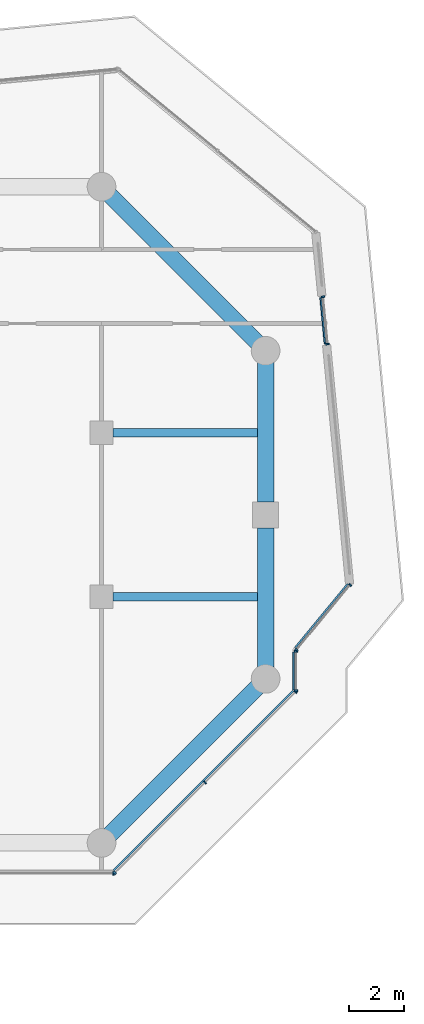
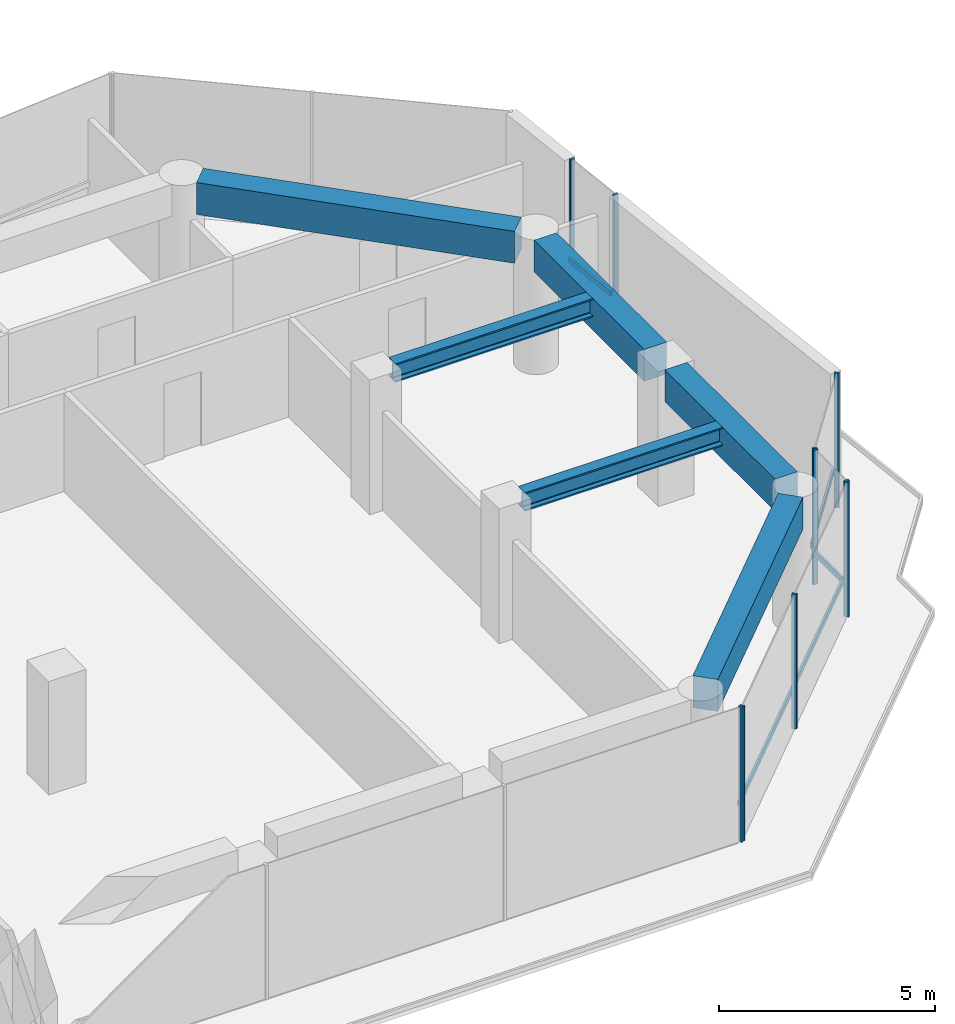
# One storey, part 19 of 30: 14 members, 6 beams, 5 elements without a shape of their own.
"""IFC4 building model written with IfcOpenShell, lengths in metres."""

from ifc_helpers import new_model, si_unit, direction, frame, origin, origin_2d, place, context, subcontext, project, spatial, rectangle, i_section, extrude, material, layer, layer_set, material_profile, profile_set, type_object, element, aggregate, save


model = new_model("IFC4")

# Units and contexts
model_context = context("Model", 3, precision=1e-05, world=origin(), true_north=direction((0.0, 1.0)))
body_context = subcontext(model_context, "Body", "Model", "MODEL_VIEW")
ifc_project = project(units=[si_unit("LENGTHUNIT", "METRE"), si_unit("AREAUNIT", "SQUARE_METRE"), si_unit("VOLUMEUNIT", "CUBIC_METRE"), si_unit("PLANEANGLEUNIT", "RADIAN"), si_unit("MASSUNIT", "GRAM", prefix="KILO")], contexts=[model_context])

# Site, building, storey
site_placement = place(None, origin())
site = spatial("IfcSite", under=ifc_project, at=site_placement, CompositionType="ELEMENT")
building_placement = place(site_placement, origin())
building = spatial("IfcBuilding", under=site, at=building_placement, Name="Welwitschia Terrace Campus", CompositionType="ELEMENT")
storey_placement = place(building_placement, frame((0.0, 0.0, 75.199951171875)))
storey = spatial("IfcBuildingStorey", under=building, at=storey_placement, Name="L17", CompositionType="ELEMENT", Elevation=75.199951171875)

# Beams
ifc_material_1 = material(Name="Steel S355", Category="steel")
ifc_material_profile_1 = material_profile(ifc_material_1, i_section(OverallWidth=0.305908203125, OverallDepth=0.52392578125, WebThickness=0.02099609375, FlangeThickness=0.0400390625, FilletRadius=0.027099609375, at=origin_2d()))
ifc_profile_set_1 = profile_set([ifc_material_profile_1], Name="Steel S355")
beam_type_1 = type_object("IfcBeamType", Name="Interior girder HE 500 M", PredefinedType="BEAM", material=ifc_profile_set_1)
for number, where, z_axis, x_axis, name in (
    (1, (60.425537109375, 5.0, 3.5380859375), (1.0, 0.0, 0.0), (0.0, 1.0, 0.0), "Girder GB2"),
    (2, (60.425537109375, 11.0, 3.5380859375), (1.0, 0.0, 0.0), (0.0, 1.0, 0.0), "Girder GB2"),
):
    element("IfcBeam", number, at=place(storey_placement, frame(where, z_axis=z_axis, x_axis=x_axis)), inside=storey, type_object=beam_type_1, Name=name, PredefinedType="BEAM", context=body_context, shape_type="SweptSolid", body=[
        extrude(i_section(OverallWidth=0.305908203125, OverallDepth=0.52392578125, WebThickness=0.02099609375, FlangeThickness=0.0400390625, FilletRadius=0.027099609375, at=origin_2d()), origin(), (0.0, 0.0, 1.0), 5.58447265625),
    ])

# Curtain wall, member
ifc_material_2 = material(Name="Bronze anodised aluminium", Category="aluminium")
ifc_layer = layer(ifc_material_2, 0.1201171875)
ifc_layer_set = layer_set([ifc_layer], Name="Bronze anodised aluminium")
curtain_wall_type = type_object("IfcCurtainWallType", Name="Curtain wall CW2 tower 6000", PredefinedType="NOTDEFINED", material=ifc_layer_set)
curtain_wall_1_placement = place(storey_placement, origin())
curtain_wall_1 = element("IfcCurtainWall", 3, at=curtain_wall_1_placement, inside=storey, type_object=curtain_wall_type, Name="CW L17.3.0", PredefinedType="NOTDEFINED")
ifc_material_3 = material(Name="Bronze anodised aluminium", Category="aluminium")
ifc_material_profile_2 = material_profile(ifc_material_3, rectangle(XDim=0.1201171875, YDim=0.06005859375, at=origin_2d()))
ifc_profile_set_2 = profile_set([ifc_material_profile_2], Name="Bronze anodised aluminium")
member_type_1 = type_object("IfcMemberType", Name="Mullion 60x120", PredefinedType="MULLION", material=ifc_profile_set_2)
member_1_placement = place(storey_placement, frame((60.431396484375, -5.114013671875, 0.0), z_axis=(0.0, 0.0, 1.0), x_axis=(0.0, 1.0, 0.0)))
member_1 = element("IfcMember", 4, at=member_1_placement, type_object=member_type_1, Name="Mullion L17.3.0.5", PredefinedType="MULLION", context=body_context, shape_type="SweptSolid", body=[
    extrude(rectangle(XDim=0.1201171875, YDim=0.06005859375, at=origin_2d()), origin(), (0.0, 0.0, 1.0), 3.800048828125),
])
aggregate(curtain_wall_1, [member_1])

# Curtain wall, members
curtain_wall_2_placement = place(storey_placement, origin())
curtain_wall_2 = element("IfcCurtainWall", 5, at=curtain_wall_2_placement, inside=storey, type_object=curtain_wall_type, Name="CW L17.4.0", PredefinedType="NOTDEFINED")
member_2_placement = place(storey_placement, frame((60.482666015625, -5.0927734375, 0.0), z_axis=(0.0, 0.0, 1.0), x_axis=(-0.707106781187, 0.707106781187, 0.0)))
member_2 = element("IfcMember", 6, at=member_2_placement, type_object=member_type_1, Name="Mullion L17.4.0.0", PredefinedType="MULLION", context=body_context, shape_type="SweptSolid", body=[
    extrude(rectangle(XDim=0.1201171875, YDim=0.06005859375, at=origin_2d()), origin(), (0.0, 0.0, 1.0), 3.800048828125),
])
member_3_placement = place(storey_placement, frame((63.78759765625, -1.78759765625, 0.0), z_axis=(0.0, 0.0, 1.0), x_axis=(-0.707106781187, 0.707106781187, 0.0)))
member_3 = element("IfcMember", 7, at=member_3_placement, type_object=member_type_1, Name="Mullion L17.4.0.1", PredefinedType="MULLION", context=body_context, shape_type="SweptSolid", body=[
    extrude(rectangle(XDim=0.1201171875, YDim=0.06005859375, at=origin_2d()), origin(), (0.0, 0.0, 1.0), 3.800048828125),
])
member_4_placement = place(storey_placement, frame((67.0927734375, 1.517333984375, 0.0), z_axis=(0.0, 0.0, 1.0), x_axis=(-0.707106781187, 0.707106781187, 0.0)))
member_4 = element("IfcMember", 8, at=member_4_placement, type_object=member_type_1, Name="Mullion L17.4.0.2", PredefinedType="MULLION", context=body_context, shape_type="SweptSolid", body=[
    extrude(rectangle(XDim=0.1201171875, YDim=0.06005859375, at=origin_2d()), origin(), (0.0, 0.0, 1.0), 3.800048828125),
])

curtain_wall_3_placement = place(storey_placement, origin())
curtain_wall_3 = element("IfcCurtainWall", 9, at=curtain_wall_3_placement, inside=storey, type_object=curtain_wall_type, Name="CW L17.5.0", PredefinedType="NOTDEFINED")
member_5_placement = place(storey_placement, frame((67.114013671875, 1.568603515625, 0.0), z_axis=(0.0, 0.0, 1.0), x_axis=(-1.0, 0.0, 0.0)))
member_5 = element("IfcMember", 10, at=member_5_placement, type_object=member_type_1, Name="Mullion L17.5.0.0", PredefinedType="MULLION", context=body_context, shape_type="SweptSolid", body=[
    extrude(rectangle(XDim=0.1201171875, YDim=0.06005859375, at=origin_2d()), origin(), (0.0, 0.0, 1.0), 3.800048828125),
])
member_6_placement = place(storey_placement, frame((67.114013671875, 3.010009765625, 0.0), z_axis=(0.0, 0.0, 1.0), x_axis=(-1.0, 0.0, 0.0)))
member_6 = element("IfcMember", 11, at=member_6_placement, type_object=member_type_1, Name="Mullion L17.5.0.1", PredefinedType="MULLION", context=body_context, shape_type="SweptSolid", body=[
    extrude(rectangle(XDim=0.1201171875, YDim=0.06005859375, at=origin_2d()), origin(), (0.0, 0.0, 1.0), 3.800048828125),
])

curtain_wall_4_placement = place(storey_placement, origin())
curtain_wall_4 = element("IfcCurtainWall", 12, at=curtain_wall_4_placement, inside=storey, type_object=curtain_wall_type, Name="CW L17.6.0", PredefinedType="NOTDEFINED")
member_7_placement = place(storey_placement, frame((67.133056640625, 3.063232421875, 0.0), z_axis=(0.0, 0.0, 1.0), x_axis=(-0.771624583388, 0.636078220278, 0.0)))
member_7 = element("IfcMember", 13, at=member_7_placement, type_object=member_type_1, Name="Mullion L17.6.0.0", PredefinedType="MULLION", context=body_context, shape_type="SweptSolid", body=[
    extrude(rectangle(XDim=0.1201171875, YDim=0.06005859375, at=origin_2d()), origin(), (0.0, 0.0, 1.0), 3.800048828125),
])
member_8_placement = place(storey_placement, frame((69.091552734375, 5.439208984375, 0.0), z_axis=(0.0, 0.0, 1.0), x_axis=(-0.771624583388, 0.636078220278, 0.0)))
member_8 = element("IfcMember", 14, at=member_8_placement, type_object=member_type_1, Name="Mullion L17.6.0.1", PredefinedType="MULLION", context=body_context, shape_type="SweptSolid", body=[
    extrude(rectangle(XDim=0.1201171875, YDim=0.06005859375, at=origin_2d()), origin(), (0.0, 0.0, 1.0), 3.800048828125),
])

curtain_wall_5_placement = place(storey_placement, origin())
curtain_wall_5 = element("IfcCurtainWall", 15, at=curtain_wall_5_placement, inside=storey, type_object=curtain_wall_type, Name="CW L17.7.S0", PredefinedType="NOTDEFINED")
member_9_placement = place(storey_placement, frame((68.26513671875, 14.243896484375, 0.0), z_axis=(0.0, 0.0, 1.0), x_axis=(-0.995396198367, -0.09584575252, 0.0)))
member_9 = element("IfcMember", 16, at=member_9_placement, type_object=member_type_1, Name="Mullion L17.7.S0.0", PredefinedType="MULLION", context=body_context, shape_type="SweptSolid", body=[
    extrude(rectangle(XDim=0.1201171875, YDim=0.06005859375, at=origin_2d()), origin(), (0.0, 0.0, 1.0), 3.800048828125),
])
member_10_placement = place(storey_placement, frame((68.098388671875, 15.975830078125, 0.0), z_axis=(0.0, 0.0, 1.0), x_axis=(-0.995396198367, -0.09584575252, 0.0)))
member_10 = element("IfcMember", 17, at=member_10_placement, type_object=member_type_1, Name="Mullion L17.7.S0.1", PredefinedType="MULLION", context=body_context, shape_type="SweptSolid", body=[
    extrude(rectangle(XDim=0.1201171875, YDim=0.06005859375, at=origin_2d()), origin(), (0.0, 0.0, 1.0), 3.800048828125),
])

# Beams
ifc_material_4 = material(Name="Concrete C60/75", Category="concrete")
ifc_material_profile_3 = material_profile(ifc_material_4, rectangle(XDim=0.60009765625, YDim=0.89990234375, at=origin_2d()))
ifc_profile_set_3 = profile_set([ifc_material_profile_3], Name="Concrete C60/75")
beam_type_2 = type_object("IfcBeamType", Name="Ring spandrel 600x900", PredefinedType="SPANDREL", material=ifc_profile_set_3)
beam_1_placement = place(storey_placement, frame((60.30517578125, -3.69482421875, 3.35009765625), z_axis=(0.707106781187, 0.707106781187, 0.0), x_axis=(-0.707106781187, 0.707106781187, 0.0)))
element("IfcBeam", 18, at=beam_1_placement, inside=storey, type_object=beam_type_2, Name="Spandrel SP2", PredefinedType="SPANDREL", context=body_context, shape_type="SweptSolid", body=[
    extrude(rectangle(XDim=0.60009765625, YDim=0.89990234375, at=origin_2d()), origin(), (0.0, 0.0, 1.0), 7.6220703125),
])
for number, where, z_axis, x_axis, name in (
    (19, (66.0, 2.431396484375, 3.35009765625), (0.0, 1.0, 0.0), (-1.0, 0.0, 0.0), "Spandrel SP2"),
    (20, (66.0, 8.4755859375, 3.35009765625), (0.0, 1.0, 0.0), (-1.0, 0.0, 0.0), "Spandrel SP2"),
):
    element("IfcBeam", number, at=place(storey_placement, frame(where, z_axis=z_axis, x_axis=x_axis)), inside=storey, type_object=beam_type_2, Name=name, PredefinedType="SPANDREL", context=body_context, shape_type="SweptSolid", body=[
        extrude(rectangle(XDim=0.60009765625, YDim=0.89990234375, at=origin_2d()), origin(), (0.0, 0.0, 1.0), 5.093017578125),
    ])
beam_2_placement = place(storey_placement, frame((65.69482421875, 14.30517578125, 3.35009765625), z_axis=(-0.707106781187, 0.707106781187, 0.0), x_axis=(-0.707106781187, -0.707106781187, 0.0)))
element("IfcBeam", 21, at=beam_2_placement, inside=storey, type_object=beam_type_2, Name="Spandrel SP2", PredefinedType="SPANDREL", context=body_context, shape_type="SweptSolid", body=[
    extrude(rectangle(XDim=0.60009765625, YDim=0.89990234375, at=origin_2d()), origin(), (0.0, 0.0, 1.0), 7.6220703125),
])

# Member
ifc_material_5 = material(Name="Bronze anodised aluminium", Category="aluminium")
ifc_material_profile_4 = material_profile(ifc_material_5, rectangle(XDim=0.06005859375, YDim=0.14990234375, at=origin_2d()))
ifc_profile_set_4 = profile_set([ifc_material_profile_4], Name="Bronze anodised aluminium")
member_type_2 = type_object("IfcMemberType", Name="Transom 60x150", PredefinedType="USERDEFINED", material=ifc_profile_set_4)
member_11_placement = place(storey_placement, frame((60.440185546875, -5.0078125, 1.0), z_axis=(0.707106781187, 0.707106781187, 0.0), x_axis=(-0.707106781187, 0.707106781187, 0.0)))
member_11 = element("IfcMember", 22, at=member_11_placement, type_object=member_type_2, Name="Transom L17.4.0", ObjectType="TRANSOM", PredefinedType="USERDEFINED", context=body_context, shape_type="SweptSolid", body=[
    extrude(rectangle(XDim=0.06005859375, YDim=0.14990234375, at=origin_2d()), origin(), (0.0, 0.0, 1.0), 9.2880859375),
])

aggregate(curtain_wall_2, [member_2, member_3, member_4, member_11])

member_12_placement = place(storey_placement, frame((67.02392578125, 1.5986328125, 1.0), z_axis=(0.0, 1.0, 0.0), x_axis=(-1.0, 0.0, 0.0)))
member_12 = element("IfcMember", 23, at=member_12_placement, type_object=member_type_2, Name="Transom L17.5.0", ObjectType="TRANSOM", PredefinedType="USERDEFINED", context=body_context, shape_type="SweptSolid", body=[
    extrude(rectangle(XDim=0.06005859375, YDim=0.14990234375, at=origin_2d()), origin(), (0.0, 0.0, 1.0), 1.38134765625),
])

aggregate(curtain_wall_3, [member_5, member_6, member_12])

member_13_placement = place(storey_placement, frame((67.082763671875, 3.1435546875, 1.0), z_axis=(0.636086993045, 0.771617351593, 0.0), x_axis=(-0.771617351593, 0.636086993045, 0.0)))
member_13 = element("IfcMember", 24, at=member_13_placement, type_object=member_type_2, Name="Transom L17.6.0", ObjectType="TRANSOM", PredefinedType="USERDEFINED", context=body_context, shape_type="SweptSolid", body=[
    extrude(rectangle(XDim=0.06005859375, YDim=0.14990234375, at=origin_2d()), origin(), (0.0, 0.0, 1.0), 3.01904296875),
])

aggregate(curtain_wall_4, [member_7, member_8, member_13])

member_14_placement = place(storey_placement, frame((68.172607421875, 14.26513671875, 1.0), z_axis=(-0.095776100574, 0.995402902627, 0.0), x_axis=(-0.995402902627, -0.095776100574, 0.0)))
member_14 = element("IfcMember", 25, at=member_14_placement, type_object=member_type_2, Name="Transom L17.7.S0", ObjectType="TRANSOM", PredefinedType="USERDEFINED", context=body_context, shape_type="SweptSolid", body=[
    extrude(rectangle(XDim=0.06005859375, YDim=0.14990234375, at=origin_2d()), origin(), (0.0, 0.0, 1.0), 1.679931640625),
])

aggregate(curtain_wall_5, [member_9, member_10, member_14])

save(model, "model.ifc")
